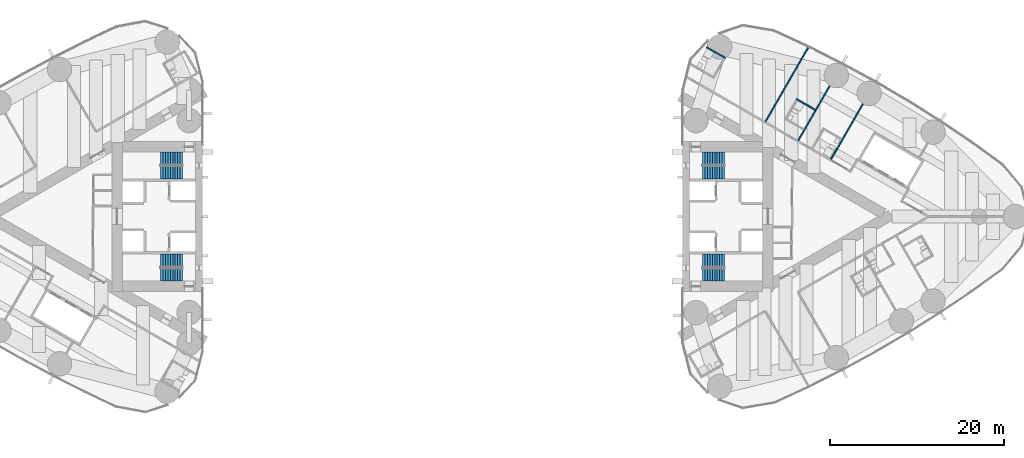
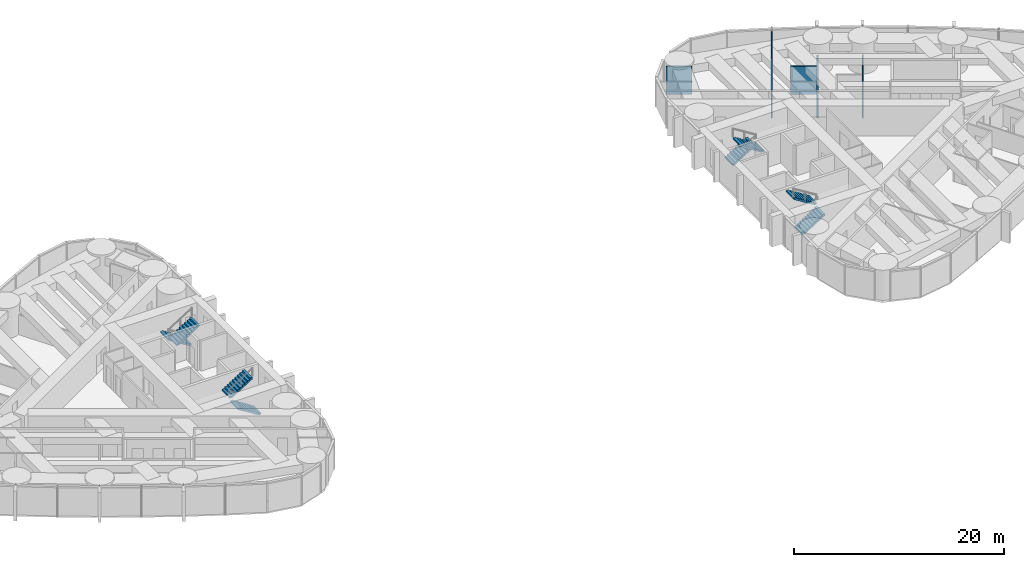
# One storey, part 16 of 18: 8 stair flights, 5 walls, 4 elements without a shape of their own.
"""IFC4 building model written with IfcOpenShell, lengths in metres."""

import ifcopenshell
import ifcopenshell.guid

model = None  # the IFC model being written
_history = None  # IfcOwnerHistory: only IFC2X3 demands one
_inside = {}  # id of a spatial element -> (the spatial element, [elements in it])
_under = {}  # id of a project, library or spatial element -> (it, [spatial elements below it])
_declared = {}  # id of a project -> (the project, [libraries it declares])
_typed = {}  # id of a type object -> (the type object, [elements of that type])
_made_of = {}  # id of a material, layer set ... -> (it, [elements and type objects made of it])


def new_model(schema):
    """Start an empty IFC model of exactly this schema.

    Asked for "IFC4X3", IfcOpenShell would pick the latest addendum, in which some entities
    have other attributes; the version numbers below select the first issue.
    IFC2X3 requires an IfcOwnerHistory on every rooted entity: one is made here for all.
    """
    global model, _history
    if schema == "IFC4X3":
        model = ifcopenshell.file(schema_version=(4, 3, 0, 0))
    else:
        model = ifcopenshell.file(schema=schema)
    _inside.clear()
    _under.clear()
    _declared.clear()
    _typed.clear()
    _made_of.clear()
    _history = None
    if model.schema == "IFC2X3":
        org = make("IfcOrganization", Name="unknown")
        user = make(
            "IfcPersonAndOrganization",
            ThePerson=make("IfcPerson", FamilyName="unknown"),
            TheOrganization=org,
        )
        app = make(
            "IfcApplication",
            ApplicationDeveloper=org,
            Version="unknown",
            ApplicationFullName="unknown",
            ApplicationIdentifier="unknown",
        )
        _history = make(
            "IfcOwnerHistory",
            OwningUser=user,
            OwningApplication=app,
            ChangeAction="ADDED",
            CreationDate=0,
        )
    return model


def make(cls, **values):
    """One entity of the class cls with the attributes given. An attribute that is None is left unset."""
    return model.create_entity(
        cls, **{name: value for name, value in values.items() if value is not None}
    )


def rooted(cls, **values):
    """An entity with a GlobalId (a new one), such as an element, a storey or a relation."""
    return make(cls, GlobalId=ifcopenshell.guid.new(), OwnerHistory=_history, **values)


def si_unit(unit_type, name, prefix=None):
    """IfcSIUnit, for example si_unit("LENGTHUNIT", "METRE", prefix="MILLI")."""
    return make("IfcSIUnit", UnitType=unit_type, Prefix=prefix, Name=name)


def assignment(units):
    """IfcUnitAssignment: the units of a project."""
    return None if units is None else make("IfcUnitAssignment", Units=units)


def point(xyz):
    """IfcCartesianPoint."""
    return None if xyz is None else make("IfcCartesianPoint", Coordinates=xyz)


def direction(xyz):
    """IfcDirection."""
    return None if xyz is None else make("IfcDirection", DirectionRatios=xyz)


def frame(location, z_axis=None, x_axis=None):
    """IfcAxis2Placement3D, a coordinate frame: its origin and axes. An axis left out is left unset."""
    return make(
        "IfcAxis2Placement3D",
        Location=point(location),
        Axis=direction(z_axis),
        RefDirection=direction(x_axis),
    )


def frame_2d(location, x_axis=None):
    """IfcAxis2Placement2D, a coordinate frame in the plane: its origin and x axis."""
    return make(
        "IfcAxis2Placement2D", Location=point(location), RefDirection=direction(x_axis)
    )


def origin():
    """The frame at (0, 0, 0) with its axes left unset."""
    return frame((0.0, 0.0, 0.0))


def place(relative_to, where):
    """IfcLocalPlacement: puts the frame where relative to a parent placement (None: the world)."""
    return make(
        "IfcLocalPlacement", PlacementRelTo=relative_to, RelativePlacement=where
    )


def context(
    kind, dimensions, precision=None, world=None, true_north=None, identifier=None
):
    """IfcGeometricRepresentationContext, for example the 3D "Model" context."""
    return make(
        "IfcGeometricRepresentationContext",
        ContextIdentifier=identifier,
        ContextType=kind,
        CoordinateSpaceDimension=dimensions,
        Precision=precision,
        WorldCoordinateSystem=world,
        TrueNorth=true_north,
    )


def subcontext(parent, identifier, kind, view, scale=None):
    """IfcGeometricRepresentationSubContext, for example "Body" below "Model"."""
    return make(
        "IfcGeometricRepresentationSubContext",
        ContextIdentifier=identifier,
        ContextType=kind,
        ParentContext=parent,
        TargetScale=scale,
        TargetView=view,
    )


def project(units=None, contexts=None):
    """IfcProject with its units and contexts."""
    return rooted(
        "IfcProject",
        Name="project",
        RepresentationContexts=contexts,
        UnitsInContext=assignment(units),
    )


def spatial(cls, under=None, at=None, **own):
    """A site, building, storey or space (cls), placed at a placement, below another one or the project."""
    s = rooted(cls, ObjectPlacement=at, **own)
    if under is not None:
        _under.setdefault(under.id(), (under, []))[1].append(s)
    return s


def polyline(points):
    """IfcPolyline through the points."""
    return make("IfcPolyline", Points=[point(p) for p in points])


def profile(cls, at=None, kind="AREA", **sizes):
    """A parametric profile (cls). Its sizes go by their IFC names, for example OverallWidth=200.0."""
    return make(cls, ProfileType=kind, Position=at, **sizes)


def rectangle(**sizes):
    """IfcRectangleProfileDef."""
    return profile("IfcRectangleProfileDef", **sizes)


def outline(outer, holes=None, kind="AREA"):
    """IfcArbitraryClosedProfileDef: a profile drawn as a closed curve; with holes, ...WithVoids."""
    if holes is None:
        return make("IfcArbitraryClosedProfileDef", ProfileType=kind, OuterCurve=outer)
    return make(
        "IfcArbitraryProfileDefWithVoids",
        ProfileType=kind,
        OuterCurve=outer,
        InnerCurves=holes,
    )


def extrude(swept, where, along, depth):
    """IfcExtrudedAreaSolid: the profile swept, set in the frame where, extruded along a direction by depth."""
    return make(
        "IfcExtrudedAreaSolid",
        SweptArea=swept,
        Position=where,
        ExtrudedDirection=direction(along),
        Depth=depth,
    )


def shape(context_of_items, identifier, shape_type, items):
    """IfcShapeRepresentation: the items that make up one representation, for example the "Body"."""
    return make(
        "IfcShapeRepresentation",
        ContextOfItems=context_of_items,
        RepresentationIdentifier=identifier,
        RepresentationType=shape_type,
        Items=items,
    )


def material(Name=None, Category=None):
    """IfcMaterial."""
    return make("IfcMaterial", Name=Name, Category=Category)


def layer(
    of_material, thickness, ventilated=None, Name=None, Category=None, Priority=None
):
    """IfcMaterialLayer: one layer of a wall or slab, of a material (None: an air gap)."""
    return make(
        "IfcMaterialLayer",
        Material=of_material,
        LayerThickness=thickness,
        IsVentilated=ventilated,
        Name=Name,
        Category=Category,
        Priority=Priority,
    )


def layer_set(layers, Name=None):
    """IfcMaterialLayerSet."""
    return make("IfcMaterialLayerSet", MaterialLayers=layers, LayerSetName=Name)


def made_of(thing, what):
    """Note that an element or type object is made of a material, layer set ...; save() writes the relation."""
    if what is not None:
        _made_of.setdefault(what.id(), (what, []))[1].append(thing)
    return thing


def type_object(cls, material=None, **own):
    """A type object (cls), such as IfcWallType, which elements share."""
    return made_of(rooted(cls, **own), material)


def element(
    cls,
    number,
    at=None,
    inside=None,
    cuts=None,
    type_object=None,
    material=None,
    context=None,
    identifier="Body",
    shape_type=None,
    held_by="IfcProductDefinitionShape",
    body=None,
    shapes=None,
    **own,
):
    """One element of the class cls, such as IfcWall. Its Tag is "e" and its number.

    at: its placement. inside: the storey or other place that contains it. cuts: it is an
    opening in that element (IfcRelVoidsElement). A single representation is given by context,
    identifier, shape_type and body (its items); several are given by shapes. held_by: the class
    of the entity that holds the representations. save() writes the other relations.
    """
    e = rooted(cls, Tag="e%d" % number, ObjectPlacement=at, **own)
    if body is not None:
        shapes = [shape(context, identifier, shape_type, body)]
    if shapes is not None:
        e.Representation = make(held_by, Representations=shapes)
    if inside is not None:
        _inside.setdefault(inside.id(), (inside, []))[1].append(e)
    if cuts is not None:
        rooted(
            "IfcRelVoidsElement", RelatingBuildingElement=cuts, RelatedOpeningElement=e
        )
    if type_object is not None:
        _typed.setdefault(type_object.id(), (type_object, []))[1].append(e)
    return made_of(e, material)


def aggregate(whole, parts):
    """IfcRelAggregates: a whole, such as a stair, and the parts it consists of."""
    return rooted("IfcRelAggregates", RelatingObject=whole, RelatedObjects=parts)


def save(model, path):
    """Write the relations noted so far, then the file.

    IfcRelAggregates (storeys below a building ...), IfcRelContainedInSpatialStructure (elements
    in a storey), IfcRelDefinesByType, IfcRelAssociatesMaterial and IfcRelDeclares: one each for
    every whole, place, type object, material and project.
    """
    for whole, parts in _under.values():
        aggregate(whole, parts)
    for where, things in _inside.values():
        rooted(
            "IfcRelContainedInSpatialStructure",
            RelatedElements=things,
            RelatingStructure=where,
        )
    for kind, things in _typed.values():
        rooted("IfcRelDefinesByType", RelatedObjects=things, RelatingType=kind)
    for what, things in _made_of.values():
        rooted("IfcRelAssociatesMaterial", RelatedObjects=things, RelatingMaterial=what)
    for by, libraries in _declared.values():
        rooted("IfcRelDeclares", RelatingContext=by, RelatedDefinitions=libraries)
    model.write(path)


model = new_model("IFC4")

# Units and contexts
model_context = context("Model", 3, precision=1e-05, world=origin(), true_north=direction((0.0, 1.0)))
body_context = subcontext(model_context, "Body", "Model", "MODEL_VIEW")
ifc_project = project(units=[si_unit("LENGTHUNIT", "METRE"), si_unit("AREAUNIT", "SQUARE_METRE"), si_unit("VOLUMEUNIT", "CUBIC_METRE"), si_unit("PLANEANGLEUNIT", "RADIAN"), si_unit("MASSUNIT", "GRAM", prefix="KILO")], contexts=[model_context])

# Site, building, storey
site_placement = place(None, origin())
site = spatial("IfcSite", under=ifc_project, at=site_placement, CompositionType="ELEMENT")
building_placement = place(site_placement, origin())
building = spatial("IfcBuilding", under=site, at=building_placement, Name="Lancet Gate Hotel", CompositionType="ELEMENT")
storey_placement = place(building_placement, frame((0.0, 0.0, 166.800048828125)))
storey = spatial("IfcBuildingStorey", under=building, at=storey_placement, Name="L44", CompositionType="ELEMENT", Elevation=166.800048828125)

# Walls
ifc_material_1 = material(Name="Moisture resistant board partition")
ifc_layer_1 = layer(ifc_material_1, 0.14990234375)
ifc_layer_set_1 = layer_set([ifc_layer_1], Name="Bathroom wall 150")
wall_type_1 = type_object("IfcWallType", Name="Bathroom wall 150", PredefinedType="PARTITIONING", material=ifc_layer_set_1)
for number, where, z_axis, x_axis, name in (
    (1, (40.56103515625, 13.47607421875, 0.0), (0.0, 0.0, 1.0), (0.866006523861, -0.500032699561, 0.0), "T2 bathroom wall 150 L44"),
    (2, (30.269287109375, 19.41796875, 0.0), (0.0, 0.0, 1.0), (0.866006523861, -0.500032699561, 0.0), "T2 bathroom wall 150 L44"),
):
    element("IfcWall", number, at=place(storey_placement, frame(where, z_axis=z_axis, x_axis=x_axis)), inside=storey, type_object=wall_type_1, Name=name, PredefinedType="PARTITIONING", context=body_context, shape_type="SweptSolid", body=[
        extrude(rectangle(XDim=2.474853515625, YDim=0.14990234375, at=frame_2d((1.2373046875, 0.0))), origin(), (0.0, 0.0, 1.0), 3.25),
    ])
ifc_material_2 = material(Name="Gypsum board partition")
ifc_layer_2 = layer(ifc_material_2, 0.14990234375)
ifc_layer_set_2 = layer_set([ifc_layer_2], Name="Party wall 150")
wall_type_2 = type_object("IfcWallType", Name="Party wall 150", PredefinedType="PARTITIONING", material=ifc_layer_set_2)
wall_1_placement = place(storey_placement, frame((37.022216796875, 10.900390625, 0.0), z_axis=(0.0, 0.0, 1.0), x_axis=(0.499998620953, 0.866026199976, 0.0)))
element("IfcWall", 3, at=wall_1_placement, inside=storey, type_object=wall_type_2, Name="T2 party wall 150 L44", PredefinedType="PARTITIONING", context=body_context, shape_type="SweptSolid", body=[
    extrude(rectangle(XDim=9.76953125, YDim=0.14990234375, at=frame_2d((4.884765625, 0.0))), origin(), (0.0, 0.0, 1.0), 3.25),
])
wall_2_placement = place(storey_placement, frame((40.769287109375, 8.737060546875, 0.0), z_axis=(0.0, 0.0, 1.0), x_axis=(0.500013115284, 0.866017831539, 0.0)))
element("IfcWall", 4, at=wall_2_placement, inside=storey, type_object=wall_type_2, Name="T2 party wall 150 L44", PredefinedType="PARTITIONING", context=body_context, shape_type="SweptSolid", body=[
    extrude(rectangle(XDim=7.197998046875, YDim=0.14990234375, at=frame_2d((3.59912109375, 0.0))), origin(), (0.0, 0.0, 1.0), 2.300048828125),
])
wall_3_placement = place(storey_placement, frame((44.521484375, 6.57080078125, 0.0), z_axis=(0.0, 0.0, 1.0), x_axis=(0.500020376429, 0.866013639128, 0.0)))
element("IfcWall", 5, at=wall_3_placement, inside=storey, type_object=wall_type_2, Name="T2 party wall 150 L44", PredefinedType="PARTITIONING", context=body_context, shape_type="SweptSolid", body=[
    extrude(rectangle(XDim=7.306396484375, YDim=0.14990234375, at=frame_2d((3.6533203125, 0.0))), origin(), (0.0, 0.0, 1.0), 2.300048828125),
])

# Stair, stair flights
ifc_material_3 = material(Name="Exit stair 20 risers 1500")
stair_type = type_object("IfcStairType", Name="Exit stair 20 risers 1500", PredefinedType="HALF_TURN_STAIR", material=ifc_material_3)
stair_1_placement = place(storey_placement, origin())
stair_1 = element("IfcStair", 6, at=stair_1_placement, inside=storey, type_object=stair_type, Name="T1 stair 1 L44", PredefinedType="HALF_TURN_STAIR")
ifc_material_4 = material(Name="Stair flight 10 risers 175 rise 1500")
stair_flight_type = type_object("IfcStairFlightType", Name="Stair flight 10 risers 175 rise 1500", PredefinedType="STRAIGHT", material=ifc_material_4)
stair_flight_1_placement = place(storey_placement, frame((-29.800048828125, 6.64990234375, 0.0), z_axis=(0.0, 0.0, 1.0), x_axis=(-1.0, 0.0, 0.0)))
stair_flight_1 = element("IfcStairFlight", 7, at=stair_flight_1_placement, type_object=stair_flight_type, Name="ST1 flight 1", NumberOfRisers=10, NumberOfTreads=9, PredefinedType="STRAIGHT", RiserHeight=0.175, TreadLength=0.28, context=body_context, shape_type="SweptSolid", body=[
    extrude(outline(polyline([(0.0, 0.0), (0.0, 0.175048828125), (0.280029296875, 0.175048828125), (0.280029296875, 0.35009765625), (0.56005859375, 0.35009765625), (0.56005859375, 0.52490234375), (0.840087890625, 0.52490234375), (0.840087890625, 0.699951171875), (1.1201171875, 0.699951171875), (1.1201171875, 0.875), (1.39990234375, 0.875), (1.39990234375, 1.050048828125), (1.679931640625, 1.050048828125), (1.679931640625, 1.22509765625), (1.9599609375, 1.22509765625), (1.9599609375, 1.39990234375), (2.239990234375, 1.39990234375), (2.239990234375, 1.574951171875), (2.52001953125, 1.574951171875), (2.52001953125, 1.75), (2.52001953125, 1.398193359375), (0.28271484375, 0.0), (0.0, 0.0)])), frame((0.0, 0.75, 0.0), z_axis=(0.0, -1.0, 0.0), x_axis=(1.0, 0.0, 0.0)), (0.0, 0.0, 1.0), 1.5),
])
stair_flight_2_placement = place(storey_placement, frame((-32.320068359375, 5.050048828125, 1.75), z_axis=(0.0, 0.0, 1.0), x_axis=(1.0, 0.0, 0.0)))
stair_flight_2 = element("IfcStairFlight", 8, at=stair_flight_2_placement, type_object=stair_flight_type, Name="ST1 flight 2", NumberOfRisers=10, NumberOfTreads=9, PredefinedType="STRAIGHT", RiserHeight=0.175, TreadLength=0.28, context=body_context, shape_type="SweptSolid", body=[
    extrude(outline(polyline([(0.0, 0.0), (0.0, 0.175048828125), (0.280029296875, 0.175048828125), (0.280029296875, 0.35009765625), (0.56005859375, 0.35009765625), (0.56005859375, 0.52490234375), (0.840087890625, 0.52490234375), (0.840087890625, 0.699951171875), (1.1201171875, 0.699951171875), (1.1201171875, 0.875), (1.39990234375, 0.875), (1.39990234375, 1.050048828125), (1.679931640625, 1.050048828125), (1.679931640625, 1.22509765625), (1.9599609375, 1.22509765625), (1.9599609375, 1.39990234375), (2.239990234375, 1.39990234375), (2.239990234375, 1.574951171875), (2.52001953125, 1.574951171875), (2.52001953125, 1.75), (2.52001953125, 1.398193359375), (0.28271484375, 0.0), (0.0, 0.0)])), frame((0.0, 0.75, 0.0), z_axis=(0.0, -1.0, 0.0), x_axis=(1.0, 0.0, 0.0)), (0.0, 0.0, 1.0), 1.5),
])
aggregate(stair_1, [stair_flight_1, stair_flight_2])

stair_2_placement = place(storey_placement, origin())
stair_2 = element("IfcStair", 9, at=stair_2_placement, inside=storey, type_object=stair_type, Name="T1 stair 2 L44", PredefinedType="HALF_TURN_STAIR")
stair_flight_3_placement = place(storey_placement, frame((-29.800048828125, -6.64990234375, 0.0), z_axis=(0.0, 0.0, 1.0), x_axis=(-1.0, 0.0, 0.0)))
stair_flight_3 = element("IfcStairFlight", 10, at=stair_flight_3_placement, type_object=stair_flight_type, Name="ST2 flight 1", NumberOfRisers=10, NumberOfTreads=9, PredefinedType="STRAIGHT", RiserHeight=0.175, TreadLength=0.28, context=body_context, shape_type="SweptSolid", body=[
    extrude(outline(polyline([(0.0, 0.0), (0.0, 0.175048828125), (0.280029296875, 0.175048828125), (0.280029296875, 0.35009765625), (0.56005859375, 0.35009765625), (0.56005859375, 0.52490234375), (0.840087890625, 0.52490234375), (0.840087890625, 0.699951171875), (1.1201171875, 0.699951171875), (1.1201171875, 0.875), (1.39990234375, 0.875), (1.39990234375, 1.050048828125), (1.679931640625, 1.050048828125), (1.679931640625, 1.22509765625), (1.9599609375, 1.22509765625), (1.9599609375, 1.39990234375), (2.239990234375, 1.39990234375), (2.239990234375, 1.574951171875), (2.52001953125, 1.574951171875), (2.52001953125, 1.75), (2.52001953125, 1.398193359375), (0.28271484375, 0.0), (0.0, 0.0)])), frame((0.0, 0.75, 0.0), z_axis=(0.0, -1.0, 0.0), x_axis=(1.0, 0.0, 0.0)), (0.0, 0.0, 1.0), 1.5),
])
stair_flight_4_placement = place(storey_placement, frame((-32.320068359375, -5.050048828125, 1.75), z_axis=(0.0, 0.0, 1.0), x_axis=(1.0, 0.0, 0.0)))
stair_flight_4 = element("IfcStairFlight", 11, at=stair_flight_4_placement, type_object=stair_flight_type, Name="ST2 flight 2", NumberOfRisers=10, NumberOfTreads=9, PredefinedType="STRAIGHT", RiserHeight=0.175, TreadLength=0.28, context=body_context, shape_type="SweptSolid", body=[
    extrude(outline(polyline([(0.0, 0.0), (0.0, 0.175048828125), (0.280029296875, 0.175048828125), (0.280029296875, 0.35009765625), (0.56005859375, 0.35009765625), (0.56005859375, 0.52490234375), (0.840087890625, 0.52490234375), (0.840087890625, 0.699951171875), (1.1201171875, 0.699951171875), (1.1201171875, 0.875), (1.39990234375, 0.875), (1.39990234375, 1.050048828125), (1.679931640625, 1.050048828125), (1.679931640625, 1.22509765625), (1.9599609375, 1.22509765625), (1.9599609375, 1.39990234375), (2.239990234375, 1.39990234375), (2.239990234375, 1.574951171875), (2.52001953125, 1.574951171875), (2.52001953125, 1.75), (2.52001953125, 1.398193359375), (0.28271484375, 0.0), (0.0, 0.0)])), frame((0.0, 0.75, 0.0), z_axis=(0.0, -1.0, 0.0), x_axis=(1.0, 0.0, 0.0)), (0.0, 0.0, 1.0), 1.5),
])
aggregate(stair_2, [stair_flight_3, stair_flight_4])

stair_3_placement = place(storey_placement, origin())
stair_3 = element("IfcStair", 12, at=stair_3_placement, inside=storey, type_object=stair_type, Name="T2 stair 1 L44", PredefinedType="HALF_TURN_STAIR")
stair_flight_5_placement = place(storey_placement, frame((29.800048828125, -6.64990234375, 0.0), z_axis=(0.0, 0.0, 1.0), x_axis=(1.0, 0.0, 0.0)))
stair_flight_5 = element("IfcStairFlight", 13, at=stair_flight_5_placement, type_object=stair_flight_type, Name="ST3 flight 1", NumberOfRisers=10, NumberOfTreads=9, PredefinedType="STRAIGHT", RiserHeight=0.175, TreadLength=0.28, context=body_context, shape_type="SweptSolid", body=[
    extrude(outline(polyline([(0.0, 0.0), (0.0, 0.175048828125), (0.280029296875, 0.175048828125), (0.280029296875, 0.35009765625), (0.56005859375, 0.35009765625), (0.56005859375, 0.52490234375), (0.840087890625, 0.52490234375), (0.840087890625, 0.699951171875), (1.1201171875, 0.699951171875), (1.1201171875, 0.875), (1.39990234375, 0.875), (1.39990234375, 1.050048828125), (1.679931640625, 1.050048828125), (1.679931640625, 1.22509765625), (1.9599609375, 1.22509765625), (1.9599609375, 1.39990234375), (2.239990234375, 1.39990234375), (2.239990234375, 1.574951171875), (2.52001953125, 1.574951171875), (2.52001953125, 1.75), (2.52001953125, 1.398193359375), (0.28271484375, 0.0), (0.0, 0.0)])), frame((0.0, 0.75, 0.0), z_axis=(0.0, -1.0, 0.0), x_axis=(1.0, 0.0, 0.0)), (0.0, 0.0, 1.0), 1.5),
])
stair_flight_6_placement = place(storey_placement, frame((32.320068359375, -5.050048828125, 1.75), z_axis=(0.0, 0.0, 1.0), x_axis=(-1.0, 0.0, 0.0)))
stair_flight_6 = element("IfcStairFlight", 14, at=stair_flight_6_placement, type_object=stair_flight_type, Name="ST3 flight 2", NumberOfRisers=10, NumberOfTreads=9, PredefinedType="STRAIGHT", RiserHeight=0.175, TreadLength=0.28, context=body_context, shape_type="SweptSolid", body=[
    extrude(outline(polyline([(0.0, 0.0), (0.0, 0.175048828125), (0.280029296875, 0.175048828125), (0.280029296875, 0.35009765625), (0.56005859375, 0.35009765625), (0.56005859375, 0.52490234375), (0.840087890625, 0.52490234375), (0.840087890625, 0.699951171875), (1.1201171875, 0.699951171875), (1.1201171875, 0.875), (1.39990234375, 0.875), (1.39990234375, 1.050048828125), (1.679931640625, 1.050048828125), (1.679931640625, 1.22509765625), (1.9599609375, 1.22509765625), (1.9599609375, 1.39990234375), (2.239990234375, 1.39990234375), (2.239990234375, 1.574951171875), (2.52001953125, 1.574951171875), (2.52001953125, 1.75), (2.52001953125, 1.398193359375), (0.28271484375, 0.0), (0.0, 0.0)])), frame((0.0, 0.75, 0.0), z_axis=(0.0, -1.0, 0.0), x_axis=(1.0, 0.0, 0.0)), (0.0, 0.0, 1.0), 1.5),
])
aggregate(stair_3, [stair_flight_5, stair_flight_6])

stair_4_placement = place(storey_placement, origin())
stair_4 = element("IfcStair", 15, at=stair_4_placement, inside=storey, type_object=stair_type, Name="T2 stair 2 L44", PredefinedType="HALF_TURN_STAIR")
stair_flight_7_placement = place(storey_placement, frame((29.800048828125, 6.64990234375, 0.0), z_axis=(0.0, 0.0, 1.0), x_axis=(1.0, 0.0, 0.0)))
stair_flight_7 = element("IfcStairFlight", 16, at=stair_flight_7_placement, type_object=stair_flight_type, Name="ST4 flight 1", NumberOfRisers=10, NumberOfTreads=9, PredefinedType="STRAIGHT", RiserHeight=0.175, TreadLength=0.28, context=body_context, shape_type="SweptSolid", body=[
    extrude(outline(polyline([(0.0, 0.0), (0.0, 0.175048828125), (0.280029296875, 0.175048828125), (0.280029296875, 0.35009765625), (0.56005859375, 0.35009765625), (0.56005859375, 0.52490234375), (0.840087890625, 0.52490234375), (0.840087890625, 0.699951171875), (1.1201171875, 0.699951171875), (1.1201171875, 0.875), (1.39990234375, 0.875), (1.39990234375, 1.050048828125), (1.679931640625, 1.050048828125), (1.679931640625, 1.22509765625), (1.9599609375, 1.22509765625), (1.9599609375, 1.39990234375), (2.239990234375, 1.39990234375), (2.239990234375, 1.574951171875), (2.52001953125, 1.574951171875), (2.52001953125, 1.75), (2.52001953125, 1.398193359375), (0.28271484375, 0.0), (0.0, 0.0)])), frame((0.0, 0.75, 0.0), z_axis=(0.0, -1.0, 0.0), x_axis=(1.0, 0.0, 0.0)), (0.0, 0.0, 1.0), 1.5),
])
stair_flight_8_placement = place(storey_placement, frame((32.320068359375, 5.050048828125, 1.75), z_axis=(0.0, 0.0, 1.0), x_axis=(-1.0, 0.0, 0.0)))
stair_flight_8 = element("IfcStairFlight", 17, at=stair_flight_8_placement, type_object=stair_flight_type, Name="ST4 flight 2", NumberOfRisers=10, NumberOfTreads=9, PredefinedType="STRAIGHT", RiserHeight=0.175, TreadLength=0.28, context=body_context, shape_type="SweptSolid", body=[
    extrude(outline(polyline([(0.0, 0.0), (0.0, 0.175048828125), (0.280029296875, 0.175048828125), (0.280029296875, 0.35009765625), (0.56005859375, 0.35009765625), (0.56005859375, 0.52490234375), (0.840087890625, 0.52490234375), (0.840087890625, 0.699951171875), (1.1201171875, 0.699951171875), (1.1201171875, 0.875), (1.39990234375, 0.875), (1.39990234375, 1.050048828125), (1.679931640625, 1.050048828125), (1.679931640625, 1.22509765625), (1.9599609375, 1.22509765625), (1.9599609375, 1.39990234375), (2.239990234375, 1.39990234375), (2.239990234375, 1.574951171875), (2.52001953125, 1.574951171875), (2.52001953125, 1.75), (2.52001953125, 1.398193359375), (0.28271484375, 0.0), (0.0, 0.0)])), frame((0.0, 0.75, 0.0), z_axis=(0.0, -1.0, 0.0), x_axis=(1.0, 0.0, 0.0)), (0.0, 0.0, 1.0), 1.5),
])
aggregate(stair_4, [stair_flight_7, stair_flight_8])

save(model, "model.ifc")
